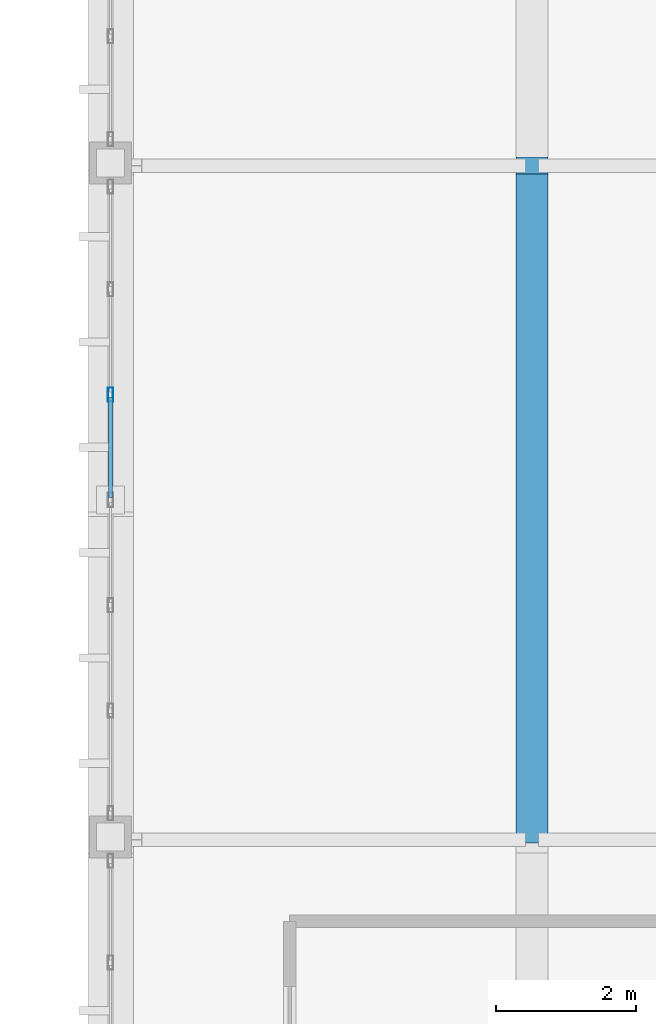
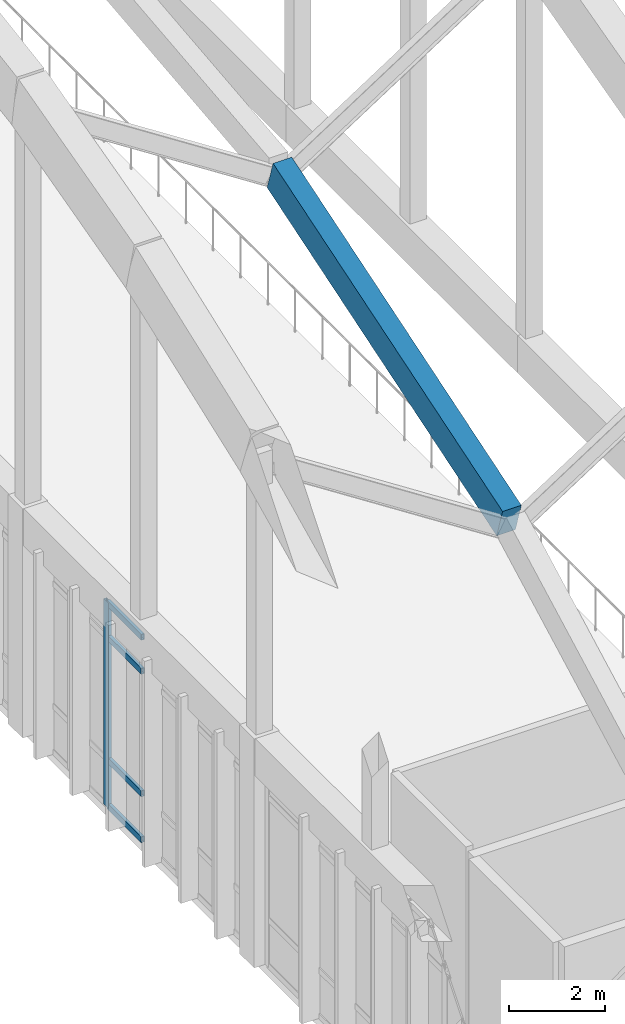
# One storey, part 35 of 236: 5 members, 1 beam, 1 element without a shape of its own.
"""IFC4 building model written with IfcOpenShell, lengths in metres."""

from ifc_helpers import new_model, si_unit, direction, frame, origin, origin_2d, place, context, subcontext, project, spatial, rectangle, hollow_rectangle, extrude, material, layer, layer_set, material_profile, profile_set, type_object, element, aggregate, save


model = new_model("IFC4")

# Units and contexts
model_context = context("Model", 3, precision=1e-05, world=origin(), true_north=direction((0.0, 1.0)))
body_context = subcontext(model_context, "Body", "Model", "MODEL_VIEW")
ifc_project = project(units=[si_unit("LENGTHUNIT", "METRE"), si_unit("AREAUNIT", "SQUARE_METRE"), si_unit("VOLUMEUNIT", "CUBIC_METRE"), si_unit("PLANEANGLEUNIT", "RADIAN"), si_unit("MASSUNIT", "GRAM", prefix="KILO")], contexts=[model_context])

# Site, building, storey
site_placement = place(None, origin())
site = spatial("IfcSite", under=ifc_project, at=site_placement, CompositionType="ELEMENT")
building_placement = place(site_placement, origin())
building = spatial("IfcBuilding", under=site, at=building_placement, Name="Pandanus Reach Market Hall", CompositionType="ELEMENT")
storey_placement = place(building_placement, frame((0.0, 0.0, 5.39990234375)))
storey = spatial("IfcBuildingStorey", under=building, at=storey_placement, Name="L01", CompositionType="ELEMENT", Elevation=5.39990234375)

# Beam
ifc_material_1 = material(Name="Concrete N40 (40 MPa)", Category="concrete")
ifc_material_profile_1 = material_profile(ifc_material_1, rectangle(XDim=0.449951171875, YDim=0.800048828125, at=origin_2d()), Name="RC450x800", Category="LoadBearing")
ifc_profile_set_1 = profile_set([ifc_material_profile_1], Name="Concrete N40 (40 MPa)")
beam_type = type_object("IfcBeamType", Name="BM-RC450-I", PredefinedType="BEAM", material=ifc_profile_set_1)
beam_placement = place(storey_placement, frame((54.0, 38.43994140625, 8.918212890625), z_axis=(0.0, 0.952580593406, 0.30428639974), x_axis=(-1.0, 0.0, 0.0)))
element("IfcBeam", 1, at=beam_placement, inside=storey, type_object=beam_type, Name="Butterfly valley beam B1.3", PredefinedType="BEAM", context=body_context, shape_type="SweptSolid", body=[
    extrude(rectangle(XDim=0.449951171875, YDim=0.800048828125, at=origin_2d()), origin(), (0.0, 0.0, 1.0), 9.993896484375),
])

# Curtain wall, members
ifc_material_2 = material(Name="Bronze anodised aluminium and low-E glass", Category="aluminium")
ifc_layer = layer(ifc_material_2, 0.199951171875, Name="CW-05")
ifc_layer_set = layer_set([ifc_layer], Name="Bronze anodised aluminium and low-E glass")
curtain_wall_type = type_object("IfcCurtainWallType", Name="CW-05", PredefinedType="NOTDEFINED", material=ifc_layer_set)
curtain_wall_placement = place(storey_placement, origin())
curtain_wall = element("IfcCurtainWall", 2, at=curtain_wall_placement, inside=storey, type_object=curtain_wall_type, Name="Glazed curtain wall CW-05 CW-0022", PredefinedType="NOTDEFINED")
ifc_material_3 = material(Name="Bronze anodised aluminium", Category="aluminium")
ifc_material_profile_2 = material_profile(ifc_material_3, hollow_rectangle(XDim=0.074951171875, YDim=0.199951171875, WallThickness=0.00439453125, at=origin_2d()), Name="ALU75x200", Category="LoadBearing")
ifc_profile_set_2 = profile_set([ifc_material_profile_2], Name="Bronze anodised aluminium")
member_type_1 = type_object("IfcMemberType", Name="CW-M2", PredefinedType="MULLION", material=ifc_profile_set_2)
member_1_placement = place(storey_placement, frame((48.0, 44.699951171875, 0.0), z_axis=(0.0, 0.0, 1.0), x_axis=(-1.0, 0.0, 0.0)))
member_1 = element("IfcMember", 3, at=member_1_placement, type_object=member_type_1, Name="CW-05 mullion 5", PredefinedType="MULLION", context=body_context, shape_type="SweptSolid", body=[
    extrude(hollow_rectangle(XDim=0.074951171875, YDim=0.199951171875, WallThickness=0.00439453125, at=origin_2d()), origin(), (0.0, 0.0, 1.0), 5.2001953125),
])
ifc_material_profile_3 = material_profile(ifc_material_3, hollow_rectangle(XDim=0.074951171875, YDim=0.14990234375, WallThickness=0.00439453125, at=origin_2d()), Name="ALU75x150", Category="LoadBearing")
ifc_profile_set_3 = profile_set([ifc_material_profile_3], Name="Bronze anodised aluminium")
member_type_2 = type_object("IfcMemberType", Name="CW-T2", PredefinedType="USERDEFINED", material=ifc_profile_set_3)
member_2_placement = place(storey_placement, frame((48.0, 43.237548828125, 0.03759765625), z_axis=(0.0, 1.0, 0.0), x_axis=(-1.0, 0.0, 0.0)))
member_2 = element("IfcMember", 4, at=member_2_placement, type_object=member_type_2, Name="CW-05 transom 4.1", ObjectType="TRANSOM", PredefinedType="USERDEFINED", context=body_context, shape_type="SweptSolid", body=[
    extrude(hollow_rectangle(XDim=0.074951171875, YDim=0.14990234375, WallThickness=0.00439453125, at=origin_2d()), origin(), (0.0, 0.0, 1.0), 1.425048828125),
])
member_3_placement = place(storey_placement, frame((48.0, 43.237548828125, 1.2001953125), z_axis=(0.0, 1.0, 0.0), x_axis=(-1.0, 0.0, 0.0)))
member_3 = element("IfcMember", 5, at=member_3_placement, type_object=member_type_2, Name="CW-05 transom 4.2", ObjectType="TRANSOM", PredefinedType="USERDEFINED", context=body_context, shape_type="SweptSolid", body=[
    extrude(hollow_rectangle(XDim=0.074951171875, YDim=0.14990234375, WallThickness=0.00439453125, at=origin_2d()), origin(), (0.0, 0.0, 1.0), 1.425048828125),
])
member_4_placement = place(storey_placement, frame((48.0, 43.237548828125, 4.300048828125), z_axis=(0.0, 1.0, 0.0), x_axis=(-1.0, 0.0, 0.0)))
member_4 = element("IfcMember", 6, at=member_4_placement, type_object=member_type_2, Name="CW-05 transom 4.3", ObjectType="TRANSOM", PredefinedType="USERDEFINED", context=body_context, shape_type="SweptSolid", body=[
    extrude(hollow_rectangle(XDim=0.074951171875, YDim=0.14990234375, WallThickness=0.00439453125, at=origin_2d()), origin(), (0.0, 0.0, 1.0), 1.425048828125),
])
member_5_placement = place(storey_placement, frame((48.0, 43.237548828125, 5.16259765625), z_axis=(0.0, 1.0, 0.0), x_axis=(-1.0, 0.0, 0.0)))
member_5 = element("IfcMember", 7, at=member_5_placement, type_object=member_type_2, Name="CW-05 transom 4.4", ObjectType="TRANSOM", PredefinedType="USERDEFINED", context=body_context, shape_type="SweptSolid", body=[
    extrude(hollow_rectangle(XDim=0.074951171875, YDim=0.14990234375, WallThickness=0.00439453125, at=origin_2d()), origin(), (0.0, 0.0, 1.0), 1.425048828125),
])
aggregate(curtain_wall, [member_1, member_2, member_3, member_4, member_5])

save(model, "model.ifc")
